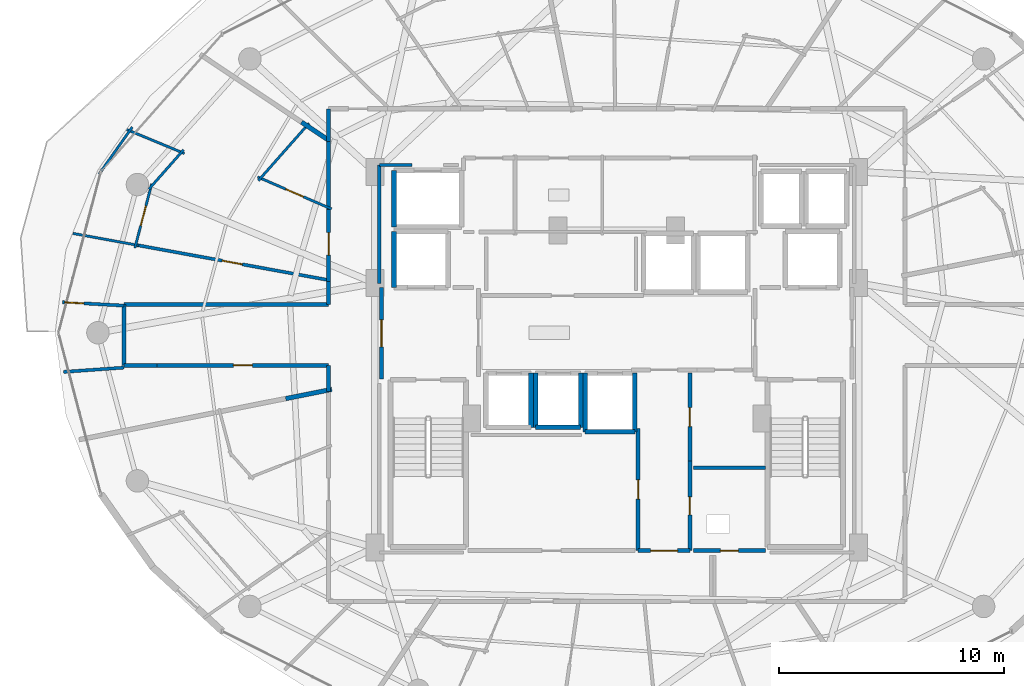
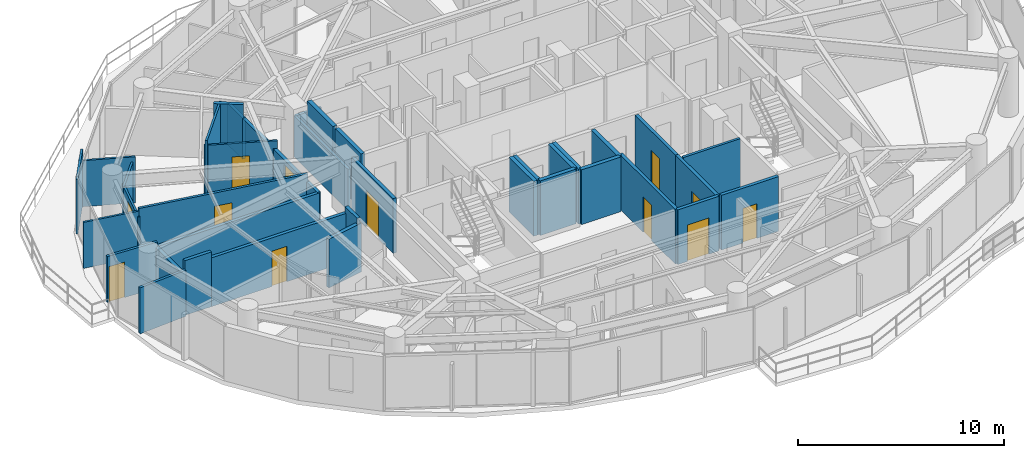
# One storey, part 21 of 29: 39 walls, 12 doors, 12 openings.
"""IFC4 building model written with IfcOpenShell, lengths in metres."""

from ifc_helpers import new_model, si_unit, direction, frame, frame_2d, origin, place, context, subcontext, project, spatial, rectangle, extrude, material, layer, layer_set, type_object, element, fill, save


model = new_model("IFC4")

# Units and contexts
model_context = context("Model", 3, precision=1e-05, world=origin(), true_north=direction((0.0, 1.0)))
body_context = subcontext(model_context, "Body", "Model", "MODEL_VIEW")
ifc_project = project(units=[si_unit("LENGTHUNIT", "METRE"), si_unit("AREAUNIT", "SQUARE_METRE"), si_unit("VOLUMEUNIT", "CUBIC_METRE"), si_unit("PLANEANGLEUNIT", "RADIAN"), si_unit("MASSUNIT", "GRAM", prefix="KILO")], contexts=[model_context])

# Site, building, storey
site_placement = place(None, origin())
site = spatial("IfcSite", under=ifc_project, at=site_placement, CompositionType="ELEMENT")
building_placement = place(site_placement, origin())
building = spatial("IfcBuilding", under=site, at=building_placement, Name="Vorneva Point Tower", CompositionType="ELEMENT")
storey_placement = place(building_placement, frame((0.0, 0.0, 150.10009765625)))
storey = spatial("IfcBuildingStorey", under=building, at=storey_placement, Name="L40", CompositionType="ELEMENT", Elevation=150.10009765625)

# Wall
ifc_material_1 = material(Name="Concrete B60 (C50/60)", Category="concrete")
ifc_layer_1 = layer(ifc_material_1, 0.5)
ifc_layer_set_1 = layer_set([ifc_layer_1], Name="Concrete B60 (C50/60)")
wall_type_1 = type_object("IfcWallType", Name="WL-CORE-500", PredefinedType="SHEAR", material=ifc_layer_set_1)
wall_1_placement = place(storey_placement, frame((28.10009765625, 30.5, 0.0), z_axis=(0.0, 0.0, 1.0), x_axis=(0.0, -1.0, 0.0)))
element("IfcWall", 1, at=wall_1_placement, inside=storey, type_object=wall_type_1, Name="L40 Lift FFL1 Shaft Wall -X", PredefinedType="SHEAR", context=body_context, shape_type="SweptSolid", body=[
    extrude(rectangle(XDim=2.5, YDim=0.219970703125, at=frame_2d((1.25, 0.0))), origin(), (0.0, 0.0, 1.0), 3.239990234375),
])

# Wall, opening, door
ifc_material_2 = material(Name="Fire-rated acoustic gypsum stud partition", Category="gypsum")
ifc_layer_2 = layer(ifc_material_2, 0.110107421875)
ifc_layer_set_2 = layer_set([ifc_layer_2], Name="Fire-rated acoustic gypsum stud partition")
wall_type_2 = type_object("IfcWallType", Name="WL-PART-110", PredefinedType="PARTITIONING", material=ifc_layer_set_2)
wall_2_placement = place(storey_placement, frame((25.328369140625, 31.497314453125, 0.0), z_axis=(0.0, 0.0, 1.0), x_axis=(-0.917371334891, 0.398032453351, 0.0)))
wall_2 = element("IfcWall", 2, at=wall_2_placement, inside=storey, type_object=wall_type_2, Name="L40 Interior Partition 097", PredefinedType="PARTITIONING", context=body_context, shape_type="SweptSolid", body=[
    extrude(rectangle(XDim=3.578369140625, YDim=0.110107421875, at=frame_2d((1.7890625, 0.0))), origin(), (0.0, 0.0, 1.0), 2.885986328125),
])
opening_1_placement = place(wall_2_placement, frame((1.3642578125, 0.0, 0.0)))
opening_1 = element("IfcOpeningElement", 3, at=opening_1_placement, cuts=wall_2, Name="Opening ID-02", PredefinedType="OPENING", context=body_context, shape_type="SweptSolid", body=[
    extrude(rectangle(XDim=0.85009765625, YDim=2.10009765625, at=frame_2d((0.425048828125, 1.050048828125))), frame((0.0, 0.06982421875, 0.0), z_axis=(0.0, -1.0, 0.0), x_axis=(1.0, 0.0, 0.0)), (0.0, 0.0, 1.0), 0.139892578125),
])
ifc_material_3 = material(Name="Engineered oak fire-rated door leaf", Category="wood")
door_type_1 = type_object("IfcDoorType", Name="DR-BATH-850", OperationType="NOTDEFINED", PredefinedType="DOOR", material=ifc_material_3)
door_1_placement = place(opening_1_placement, origin())
door_1 = element("IfcDoor", 4, at=door_1_placement, inside=storey, type_object=door_type_1, Name="L40 Door Living and Dining Room L40-04 / Bathroom L40-04", OperationType="SINGLE_SWING_LEFT", OverallHeight=2.10009765625, OverallWidth=0.85009765625, PredefinedType="DOOR", context=body_context, shape_type="SweptSolid", body=[
    extrude(rectangle(XDim=0.85009765625, YDim=2.10009765625, at=frame_2d((0.425048828125, 1.050048828125))), frame((0.0, 0.02490234375, 0.0), z_axis=(0.0, -1.0, 0.0), x_axis=(1.0, 0.0, 0.0)), (0.0, 0.0, 1.0), 0.050048828125),
])
fill(opening_1, door_1)

# Walls
wall_3_placement = place(storey_placement, frame((22.081298828125, 32.760986328125, 0.0), z_axis=(0.0, 0.0, 1.0), x_axis=(0.662023888113, 0.749482736004, 0.0)))
element("IfcWall", 5, at=wall_3_placement, inside=storey, type_object=wall_type_2, Name="L40 Interior Partition 098", PredefinedType="PARTITIONING", context=body_context, shape_type="SweptSolid", body=[
    extrude(rectangle(XDim=3.3916015625, YDim=0.110107421875, at=frame_2d((1.69580078125, 0.0))), origin(), (0.0, 0.0, 1.0), 3.239990234375),
])
wall_4_placement = place(storey_placement, frame((16.230712890625, 35.025634765625, 0.0), z_axis=(0.0, 0.0, 1.0), x_axis=(0.923742873908, -0.383013188943, 0.0)))
element("IfcWall", 6, at=wall_4_placement, inside=storey, type_object=wall_type_2, Name="L40 Interior Partition 099", PredefinedType="PARTITIONING", context=body_context, shape_type="SweptSolid", body=[
    extrude(rectangle(XDim=2.770751953125, YDim=0.110107421875, at=frame_2d((1.38525390625, 0.0))), origin(), (0.0, 0.0, 1.0), 2.727783203125),
])
wall_5_placement = place(storey_placement, frame((18.753662109375, 34.122802734375, 0.0), z_axis=(0.0, 0.0, 1.0), x_axis=(-0.66207590595, -0.749436785033, 0.0)))
element("IfcWall", 7, at=wall_5_placement, inside=storey, type_object=wall_type_2, Name="L40 Interior Partition 100", PredefinedType="PARTITIONING", context=body_context, shape_type="SweptSolid", body=[
    extrude(rectangle(XDim=2.327880859375, YDim=0.110107421875, at=frame_2d((1.1640625, 0.0))), origin(), (0.0, 0.0, 1.0), 2.431884765625),
])

# Wall, opening, door
wall_6_placement = place(storey_placement, frame((17.340576171875, 32.618408203125, 0.0), z_axis=(0.0, 0.0, 1.0), x_axis=(-0.254191595923, -0.967153882566, 0.0)))
wall_6 = element("IfcWall", 8, at=wall_6_placement, inside=storey, type_object=wall_type_2, Name="L40 Interior Partition 101", PredefinedType="PARTITIONING", context=body_context, shape_type="SweptSolid", body=[
    extrude(rectangle(XDim=2.94775390625, YDim=0.110107421875, at=frame_2d((1.473876953125, 0.0))), origin(), (0.0, 0.0, 1.0), 2.431884765625),
])
opening_2_placement = place(wall_6_placement, frame((1.023681640625, 0.0, 0.0)))
opening_2 = element("IfcOpeningElement", 9, at=opening_2_placement, cuts=wall_6, Name="Opening ID-01", PredefinedType="OPENING", context=body_context, shape_type="SweptSolid", body=[
    extrude(rectangle(XDim=0.89990234375, YDim=2.10009765625, at=frame_2d((0.449951171875, 1.050048828125))), frame((0.0, 0.06982421875, 0.0), z_axis=(0.0, -1.0, 0.0), x_axis=(1.0, 0.0, 0.0)), (0.0, 0.0, 1.0), 0.139892578125),
])
door_type_2 = type_object("IfcDoorType", Name="DR-ROOM-900", OperationType="NOTDEFINED", PredefinedType="DOOR", material=ifc_material_3)
door_2_placement = place(opening_2_placement, origin())
door_2 = element("IfcDoor", 10, at=door_2_placement, inside=storey, type_object=door_type_2, Name="L40 Door Living and Dining Room L40-04 / Kitchen L40-04", OperationType="SINGLE_SWING_RIGHT", OverallHeight=2.10009765625, OverallWidth=0.89990234375, PredefinedType="DOOR", context=body_context, shape_type="SweptSolid", body=[
    extrude(rectangle(XDim=0.89990234375, YDim=2.10009765625, at=frame_2d((0.449951171875, 1.050048828125))), frame((0.0, 0.02490234375, 0.0), z_axis=(0.0, -1.0, 0.0), x_axis=(1.0, 0.0, 0.0)), (0.0, 0.0, 1.0), 0.050048828125),
])
fill(opening_2, door_2)

# Walls
wall_7_placement = place(storey_placement, frame((16.4755859375, 35.136474609375, 0.0), z_axis=(0.0, 0.0, 1.0), x_axis=(-0.576469555269, -0.81711862777, 0.0)))
element("IfcWall", 11, at=wall_7_placement, inside=storey, type_object=wall_type_2, Name="L40 Interior Partition 102", PredefinedType="PARTITIONING", context=body_context, shape_type="SweptSolid", body=[
    extrude(rectangle(XDim=2.5576171875, YDim=0.110107421875, at=frame_2d((1.27880859375, 0.0))), origin(), (0.0, 0.0, 1.0), 3.239990234375),
])
wall_8_placement = place(storey_placement, frame((13.834228515625, 30.4130859375, 0.0), z_axis=(0.0, 0.0, 1.0), x_axis=(0.983716126889, -0.179729189891, 0.0)))
element("IfcWall", 12, at=wall_8_placement, inside=storey, type_object=wall_type_2, Name="L40 Interior Partition 104", PredefinedType="PARTITIONING", context=body_context, shape_type="SweptSolid", body=[
    extrude(rectangle(XDim=2.97900390625, YDim=0.110107421875, at=frame_2d((1.489501953125, 0.0))), origin(), (0.0, 0.0, 1.0), 2.727783203125),
])
ifc_layer_3 = layer(ifc_material_2, 0.139892578125)
ifc_layer_set_3 = layer_set([ifc_layer_3], Name="Fire-rated acoustic gypsum stud partition")
wall_type_3 = type_object("IfcWallType", Name="WL-PART-140", PredefinedType="PARTITIONING", material=ifc_layer_set_3)
wall_9_placement = place(storey_placement, frame((44.60009765625, 20.0, 0.0), z_axis=(0.0, 0.0, 1.0), x_axis=(-1.0, 0.0, 0.0)))
element("IfcWall", 13, at=wall_9_placement, inside=storey, type_object=wall_type_3, Name="L40 Interior Partition 017", PredefinedType="PARTITIONING", context=body_context, shape_type="SweptSolid", body=[
    extrude(rectangle(XDim=3.2001953125, YDim=0.139892578125, at=frame_2d((1.60009765625, 0.0))), origin(), (0.0, 0.0, 1.0), 3.239990234375),
])

# Wall, opening, door
wall_10_placement = place(storey_placement, frame((16.626953125, 29.903076171875, 0.0), z_axis=(0.0, 0.0, 1.0), x_axis=(0.983739211704, -0.179602793286, 0.0)))
wall_10 = element("IfcWall", 14, at=wall_10_placement, inside=storey, type_object=wall_type_3, Name="L40 Interior Partition 103", PredefinedType="PARTITIONING", context=body_context, shape_type="SweptSolid", body=[
    extrude(rectangle(XDim=8.714599609375, YDim=0.139892578125, at=frame_2d((4.357421875, 0.0))), origin(), (0.0, 0.0, 1.0), 2.885986328125),
])
opening_3_placement = place(wall_10_placement, frame((3.9072265625, 0.0, 0.0)))
opening_3 = element("IfcOpeningElement", 15, at=opening_3_placement, cuts=wall_10, Name="Opening ID-01", PredefinedType="OPENING", context=body_context, shape_type="SweptSolid", body=[
    extrude(rectangle(XDim=0.89990234375, YDim=2.10009765625, at=frame_2d((0.449951171875, 1.050048828125))), frame((0.0, 0.0849609375, 0.0), z_axis=(0.0, -1.0, 0.0), x_axis=(1.0, 0.0, 0.0)), (0.0, 0.0, 1.0), 0.169677734375),
])
door_3_placement = place(opening_3_placement, origin())
door_3 = element("IfcDoor", 16, at=door_3_placement, inside=storey, type_object=door_type_2, Name="L40 Door Living and Dining Room L40-04 / Master Bedroom L40-04.1", OperationType="SINGLE_SWING_LEFT", OverallHeight=2.10009765625, OverallWidth=0.89990234375, PredefinedType="DOOR", context=body_context, shape_type="SweptSolid", body=[
    extrude(rectangle(XDim=0.89990234375, YDim=2.10009765625, at=frame_2d((0.449951171875, 1.050048828125))), frame((0.0, 0.02490234375, 0.0), z_axis=(0.0, -1.0, 0.0), x_axis=(1.0, 0.0, 0.0)), (0.0, 0.0, 1.0), 0.050048828125),
])
fill(opening_3, door_3)

wall_11_placement = place(storey_placement, frame((13.376953125, 27.35498046875, 0.0), z_axis=(0.0, 0.0, 1.0), x_axis=(0.998488320145, -0.054964302364, 0.0)))
wall_11 = element("IfcWall", 17, at=wall_11_placement, inside=storey, type_object=wall_type_3, Name="L40 Interior Partition 105", PredefinedType="PARTITIONING", context=body_context, shape_type="SweptSolid", body=[
    extrude(rectangle(XDim=2.727294921875, YDim=0.139892578125, at=frame_2d((1.36376953125, 0.0))), origin(), (0.0, 0.0, 1.0), 2.727783203125),
])
opening_4_placement = place(wall_11_placement, frame((0.0986328125, 0.0, 0.0)))
opening_4 = element("IfcOpeningElement", 18, at=opening_4_placement, cuts=wall_11, Name="Opening ID-02", PredefinedType="OPENING", context=body_context, shape_type="SweptSolid", body=[
    extrude(rectangle(XDim=0.85009765625, YDim=2.10009765625, at=frame_2d((0.425048828125, 1.050048828125))), frame((0.0, 0.0849609375, 0.0), z_axis=(0.0, -1.0, 0.0), x_axis=(1.0, 0.0, 0.0)), (0.0, 0.0, 1.0), 0.169677734375),
])
door_4_placement = place(opening_4_placement, origin())
door_4 = element("IfcDoor", 19, at=door_4_placement, inside=storey, type_object=door_type_1, Name="L40 Access Door Master Bedroom L40-04.1", OperationType="SINGLE_SWING_RIGHT", OverallHeight=2.10009765625, OverallWidth=0.85009765625, PredefinedType="DOOR", context=body_context, shape_type="SweptSolid", body=[
    extrude(rectangle(XDim=0.85009765625, YDim=2.10009765625, at=frame_2d((0.425048828125, 1.050048828125))), frame((0.0, 0.02490234375, 0.0), z_axis=(0.0, -1.0, 0.0), x_axis=(1.0, 0.0, 0.0)), (0.0, 0.0, 1.0), 0.050048828125),
])
fill(opening_4, door_4)

# Walls
wall_12_placement = place(storey_placement, frame((13.427001953125, 24.260009765625, 0.0), z_axis=(0.0, 0.0, 1.0), x_axis=(0.997504277417, 0.070606065851, 0.0)))
element("IfcWall", 20, at=wall_12_placement, inside=storey, type_object=wall_type_3, Name="L40 Interior Partition 106", PredefinedType="PARTITIONING", context=body_context, shape_type="SweptSolid", body=[
    extrude(rectangle(XDim=2.6796875, YDim=0.139892578125, at=frame_2d((1.33984375, 0.0))), origin(), (0.0, 0.0, 1.0), 2.727783203125),
])
wall_13_placement = place(storey_placement, frame((28.89404296875, 33.449951171875, 0.0), z_axis=(0.0, 0.0, 1.0), x_axis=(-1.0, 0.0, 0.0)))
element("IfcWall", 21, at=wall_13_placement, inside=storey, type_object=wall_type_3, Name="L40 Interior Closure Partition 149", PredefinedType="PARTITIONING", context=body_context, shape_type="SweptSolid", body=[
    extrude(rectangle(XDim=1.444091796875, YDim=0.139892578125, at=frame_2d((0.72216796875, 0.0))), origin(), (0.0, 0.0, 1.0), 2.431884765625),
])
wall_14_placement = place(storey_placement, frame((27.449951171875, 33.449951171875, 0.0), z_axis=(0.0, 0.0, 1.0), x_axis=(0.0, -1.0, 0.0)))
element("IfcWall", 22, at=wall_14_placement, inside=storey, type_object=wall_type_3, Name="L40 Interior Closure Partition 150", PredefinedType="PARTITIONING", context=body_context, shape_type="SweptSolid", body=[
    extrude(rectangle(XDim=5.25390625, YDim=0.139892578125, at=frame_2d((2.626953125, 0.0))), origin(), (0.0, 0.0, 1.0), 2.431884765625),
])

# Wall, opening, door
ifc_material_4 = material(Name="Autoclaved aerated concrete blockwork", Category="masonry")
ifc_layer_4 = layer(ifc_material_4, 0.179931640625)
ifc_layer_set_4 = layer_set([ifc_layer_4], Name="Autoclaved aerated concrete blockwork")
wall_type_4 = type_object("IfcWallType", Name="WL-PART-180", PredefinedType="PARTITIONING", material=ifc_layer_set_4)
wall_15_placement = place(storey_placement, frame((27.550048828125, 28.0, 0.0), z_axis=(0.0, 0.0, 1.0), x_axis=(0.0, -1.0, 0.0)))
wall_15 = element("IfcWall", 23, at=wall_15_placement, inside=storey, type_object=wall_type_4, Name="L40 Interior Partition 002", PredefinedType="PARTITIONING", context=body_context, shape_type="SweptSolid", body=[
    extrude(rectangle(XDim=4.050048828125, YDim=0.179931640625, at=frame_2d((2.02490234375, 0.0))), origin(), (0.0, 0.0, 1.0), 3.239990234375),
])
opening_5_placement = place(wall_15_placement, frame((1.425048828125, 0.0, 0.0)))
opening_5 = element("IfcOpeningElement", 24, at=opening_5_placement, cuts=wall_15, Name="Opening FD-02", PredefinedType="OPENING", context=body_context, shape_type="SweptSolid", body=[
    extrude(rectangle(XDim=1.199951171875, YDim=2.14990234375, at=frame_2d((0.60009765625, 1.074951171875))), frame((0.0, 0.10498046875, 0.0), z_axis=(0.0, -1.0, 0.0), x_axis=(1.0, 0.0, 0.0)), (0.0, 0.0, 1.0), 0.209716796875),
])
ifc_material_5 = material(Name="Fire-rated powder-coated steel", Category="steel")
door_type_3 = type_object("IfcDoorType", Name="DR-FFL-1200", OperationType="NOTDEFINED", PredefinedType="DOOR", material=ifc_material_5)
door_5_placement = place(opening_5_placement, origin())
door_5 = element("IfcDoor", 25, at=door_5_placement, inside=storey, type_object=door_type_3, Name="L40 Door West Firefighting Lobby / L40 Circulation Corridor", OperationType="SINGLE_SWING_RIGHT", OverallHeight=2.14990234375, OverallWidth=1.199951171875, PredefinedType="DOOR", context=body_context, shape_type="SweptSolid", body=[
    extrude(rectangle(XDim=1.199951171875, YDim=2.14990234375, at=frame_2d((0.60009765625, 1.074951171875))), frame((0.0, 0.02490234375, 0.0), z_axis=(0.0, -1.0, 0.0), x_axis=(1.0, 0.0, 0.0)), (0.0, 0.0, 1.0), 0.050048828125),
])
fill(opening_5, door_5)

wall_16_placement = place(storey_placement, frame((41.25, 16.320068359375, 0.0), z_axis=(0.0, 0.0, 1.0), x_axis=(0.0, 1.0, 0.0)))
wall_16 = element("IfcWall", 26, at=wall_16_placement, inside=storey, type_object=wall_type_4, Name="L40 Interior Partition 013", PredefinedType="PARTITIONING", context=body_context, shape_type="SweptSolid", body=[
    extrude(rectangle(XDim=3.98486328125, YDim=0.179931640625, at=frame_2d((1.992431640625, 0.0))), origin(), (0.0, 0.0, 1.0), 3.239990234375),
])
opening_6_placement = place(wall_16_placement, frame((1.592529296875, 0.0, 0.0)))
opening_6 = element("IfcOpeningElement", 27, at=opening_6_placement, cuts=wall_16, Name="Opening RD-01", PredefinedType="OPENING", context=body_context, shape_type="SweptSolid", body=[
    extrude(rectangle(XDim=0.800048828125, YDim=2.050048828125, at=frame_2d((0.39990234375, 1.02490234375))), frame((0.0, 0.10498046875, 0.0), z_axis=(0.0, -1.0, 0.0), x_axis=(1.0, 0.0, 0.0)), (0.0, 0.0, 1.0), 0.209716796875),
])
door_type_4 = type_object("IfcDoorType", Name="DR-RSR-800", OperationType="SINGLE_SWING_LEFT", PredefinedType="DOOR", material=ifc_material_5)
door_6_placement = place(opening_6_placement, origin())
door_6 = element("IfcDoor", 28, at=door_6_placement, inside=storey, type_object=door_type_4, Name="L40 Door Core Service Lobby / Electrical Riser", OperationType="SINGLE_SWING_RIGHT", OverallHeight=2.050048828125, OverallWidth=0.800048828125, PredefinedType="DOOR", context=body_context, shape_type="SweptSolid", body=[
    extrude(rectangle(XDim=0.800048828125, YDim=2.050048828125, at=frame_2d((0.39990234375, 1.02490234375))), frame((0.0, 0.02490234375, 0.0), z_axis=(0.0, -1.0, 0.0), x_axis=(1.0, 0.0, 0.0)), (0.0, 0.0, 1.0), 0.050048828125),
])
fill(opening_6, door_6)

wall_17_placement = place(storey_placement, frame((41.25, 20.304931640625, 0.0), z_axis=(0.0, 0.0, 1.0), x_axis=(0.0, 1.0, 0.0)))
wall_17 = element("IfcWall", 29, at=wall_17_placement, inside=storey, type_object=wall_type_4, Name="L40 Interior Partition 014", PredefinedType="PARTITIONING", context=body_context, shape_type="SweptSolid", body=[
    extrude(rectangle(XDim=3.89501953125, YDim=0.179931640625, at=frame_2d((1.947509765625, 0.0))), origin(), (0.0, 0.0, 1.0), 3.239990234375),
])
opening_7_placement = place(wall_17_placement, frame((1.5224609375, 0.0, 0.0)))
opening_7 = element("IfcOpeningElement", 30, at=opening_7_placement, cuts=wall_17, Name="Opening ID-02", PredefinedType="OPENING", context=body_context, shape_type="SweptSolid", body=[
    extrude(rectangle(XDim=0.85009765625, YDim=2.10009765625, at=frame_2d((0.425048828125, 1.050048828125))), frame((0.0, 0.10498046875, 0.0), z_axis=(0.0, -1.0, 0.0), x_axis=(1.0, 0.0, 0.0)), (0.0, 0.0, 1.0), 0.209716796875),
])
door_7_placement = place(opening_7_placement, origin())
door_7 = element("IfcDoor", 31, at=door_7_placement, inside=storey, type_object=door_type_1, Name="L40 Door Core Service Lobby / Cleaners Store", OperationType="SINGLE_SWING_LEFT", OverallHeight=2.10009765625, OverallWidth=0.85009765625, PredefinedType="DOOR", context=body_context, shape_type="SweptSolid", body=[
    extrude(rectangle(XDim=0.85009765625, YDim=2.10009765625, at=frame_2d((0.425048828125, 1.050048828125))), frame((0.0, 0.02490234375, 0.0), z_axis=(0.0, -1.0, 0.0), x_axis=(1.0, 0.0, 0.0)), (0.0, 0.0, 1.0), 0.050048828125),
])
fill(opening_7, door_7)

wall_18_placement = place(storey_placement, frame((38.949951171875, 21.7548828125, 0.0), z_axis=(0.0, 0.0, 1.0), x_axis=(0.0, -1.0, 0.0)))
wall_18 = element("IfcWall", 32, at=wall_18_placement, inside=storey, type_object=wall_type_4, Name="L40 Interior Partition 015", PredefinedType="PARTITIONING", context=body_context, shape_type="SweptSolid", body=[
    extrude(rectangle(XDim=5.434814453125, YDim=0.179931640625, at=frame_2d((2.71728515625, 0.0))), origin(), (0.0, 0.0, 1.0), 3.239990234375),
])
opening_8_placement = place(wall_18_placement, frame((2.29248046875, 0.0, 0.0)))
opening_8 = element("IfcOpeningElement", 33, at=opening_8_placement, cuts=wall_18, Name="Opening ID-02", PredefinedType="OPENING", context=body_context, shape_type="SweptSolid", body=[
    extrude(rectangle(XDim=0.85009765625, YDim=2.10009765625, at=frame_2d((0.425048828125, 1.050048828125))), frame((0.0, 0.10498046875, 0.0), z_axis=(0.0, -1.0, 0.0), x_axis=(1.0, 0.0, 0.0)), (0.0, 0.0, 1.0), 0.209716796875),
])
door_8_placement = place(opening_8_placement, origin())
door_8 = element("IfcDoor", 34, at=door_8_placement, inside=storey, type_object=door_type_1, Name="L40 Door Core Service Lobby / Floor Storage Room", OperationType="SINGLE_SWING_RIGHT", OverallHeight=2.10009765625, OverallWidth=0.85009765625, PredefinedType="DOOR", context=body_context, shape_type="SweptSolid", body=[
    extrude(rectangle(XDim=0.85009765625, YDim=2.10009765625, at=frame_2d((0.425048828125, 1.050048828125))), frame((0.0, 0.02490234375, 0.0), z_axis=(0.0, -1.0, 0.0), x_axis=(1.0, 0.0, 0.0)), (0.0, 0.0, 1.0), 0.050048828125),
])
fill(opening_8, door_8)

wall_19_placement = place(storey_placement, frame((38.949951171875, 16.320068359375, 0.0), z_axis=(0.0, 0.0, 1.0), x_axis=(1.0, 0.0, 0.0)))
wall_19 = element("IfcWall", 35, at=wall_19_placement, inside=storey, type_object=wall_type_4, Name="L40 Interior Partition 016", PredefinedType="PARTITIONING", context=body_context, shape_type="SweptSolid", body=[
    extrude(rectangle(XDim=2.300048828125, YDim=0.179931640625, at=frame_2d((1.14990234375, 0.0))), origin(), (0.0, 0.0, 1.0), 3.239990234375),
])
opening_9_placement = place(wall_19_placement, frame((0.550048828125, 0.0, 0.0)))
opening_9 = element("IfcOpeningElement", 36, at=opening_9_placement, cuts=wall_19, Name="Opening FD-02", PredefinedType="OPENING", context=body_context, shape_type="SweptSolid", body=[
    extrude(rectangle(XDim=1.199951171875, YDim=2.14990234375, at=frame_2d((0.60009765625, 1.074951171875))), frame((0.0, 0.10498046875, 0.0), z_axis=(0.0, -1.0, 0.0), x_axis=(1.0, 0.0, 0.0)), (0.0, 0.0, 1.0), 0.209716796875),
])
door_9_placement = place(opening_9_placement, origin())
door_9 = element("IfcDoor", 37, at=door_9_placement, inside=storey, type_object=door_type_3, Name="L40 Door Core Service Lobby / L40 Circulation Corridor", OperationType="SINGLE_SWING_LEFT", OverallHeight=2.14990234375, OverallWidth=1.199951171875, PredefinedType="DOOR", context=body_context, shape_type="SweptSolid", body=[
    extrude(rectangle(XDim=1.199951171875, YDim=2.14990234375, at=frame_2d((0.60009765625, 1.074951171875))), frame((0.0, 0.02490234375, 0.0), z_axis=(0.0, -1.0, 0.0), x_axis=(1.0, 0.0, 0.0)), (0.0, 0.0, 1.0), 0.050048828125),
])
fill(opening_9, door_9)

wall_20_placement = place(storey_placement, frame((41.39990234375, 16.320068359375, 0.0), z_axis=(0.0, 0.0, 1.0), x_axis=(1.0, 0.0, 0.0)))
wall_20 = element("IfcWall", 38, at=wall_20_placement, inside=storey, type_object=wall_type_4, Name="L40 Interior Partition 018", PredefinedType="PARTITIONING", context=body_context, shape_type="SweptSolid", body=[
    extrude(rectangle(XDim=3.2001953125, YDim=0.179931640625, at=frame_2d((1.60009765625, 0.0))), origin(), (0.0, 0.0, 1.0), 3.239990234375),
])
opening_10_placement = place(wall_20_placement, frame((1.199951171875, 0.0, 0.0)))
opening_10 = element("IfcOpeningElement", 39, at=opening_10_placement, cuts=wall_20, Name="Opening RD-01", PredefinedType="OPENING", context=body_context, shape_type="SweptSolid", body=[
    extrude(rectangle(XDim=0.800048828125, YDim=2.050048828125, at=frame_2d((0.39990234375, 1.02490234375))), frame((0.0, 0.10498046875, 0.0), z_axis=(0.0, -1.0, 0.0), x_axis=(1.0, 0.0, 0.0)), (0.0, 0.0, 1.0), 0.209716796875),
])
door_10_placement = place(opening_10_placement, origin())
door_10 = element("IfcDoor", 40, at=door_10_placement, inside=storey, type_object=door_type_4, Name="L40 Door Electrical Riser / L40 Circulation Corridor", OperationType="SINGLE_SWING_RIGHT", OverallHeight=2.050048828125, OverallWidth=0.800048828125, PredefinedType="DOOR", context=body_context, shape_type="SweptSolid", body=[
    extrude(rectangle(XDim=0.800048828125, YDim=2.050048828125, at=frame_2d((0.39990234375, 1.02490234375))), frame((0.0, 0.02490234375, 0.0), z_axis=(0.0, -1.0, 0.0), x_axis=(1.0, 0.0, 0.0)), (0.0, 0.0, 1.0), 0.050048828125),
])
fill(opening_10, door_10)

# Wall
wall_21_placement = place(storey_placement, frame((25.199951171875, 35.949951171875, 0.0), z_axis=(0.0, 0.0, 1.0), x_axis=(0.0, -1.0, 0.0)))
element("IfcWall", 41, at=wall_21_placement, inside=storey, type_object=wall_type_4, Name="L40 Interior Partition 039", PredefinedType="PARTITIONING", context=body_context, shape_type="SweptSolid", body=[
    extrude(rectangle(XDim=1.45703125, YDim=0.179931640625, at=frame_2d((0.728515625, 0.0))), origin(), (0.0, 0.0, 1.0), 2.431884765625),
])

# Wall, opening, door
wall_22_placement = place(storey_placement, frame((25.199951171875, 31.617919921875, 0.0), z_axis=(0.0, 0.0, 1.0), x_axis=(0.0, -1.0, 0.0)))
wall_22 = element("IfcWall", 42, at=wall_22_placement, inside=storey, type_object=wall_type_4, Name="L40 Interior Partition 040", PredefinedType="PARTITIONING", context=body_context, shape_type="SweptSolid", body=[
    extrude(rectangle(XDim=3.33984375, YDim=0.179931640625, at=frame_2d((1.669921875, 0.0))), origin(), (0.0, 0.0, 1.0), 2.431884765625),
])
opening_11_placement = place(wall_22_placement, frame((1.169921875, 0.0, 0.0)))
opening_11 = element("IfcOpeningElement", 43, at=opening_11_placement, cuts=wall_22, Name="Opening UD-01", PredefinedType="OPENING", context=body_context, shape_type="SweptSolid", body=[
    extrude(rectangle(XDim=1.0, YDim=2.14990234375, at=frame_2d((0.5, 1.074951171875))), frame((0.0, 0.10498046875, 0.0), z_axis=(0.0, -1.0, 0.0), x_axis=(1.0, 0.0, 0.0)), (0.0, 0.0, 1.0), 0.209716796875),
])
door_type_5 = type_object("IfcDoorType", Name="DR-UNIT-1000", OperationType="NOTDEFINED", PredefinedType="DOOR", material=ifc_material_3)
door_11_placement = place(opening_11_placement, origin())
door_11 = element("IfcDoor", 44, at=door_11_placement, inside=storey, type_object=door_type_5, Name="L40 Door L40 Circulation Corridor / Living and Dining Room L40-04", OperationType="SINGLE_SWING_LEFT", OverallHeight=2.14990234375, OverallWidth=1.0, PredefinedType="DOOR", context=body_context, shape_type="SweptSolid", body=[
    extrude(rectangle(XDim=1.0, YDim=2.14990234375, at=frame_2d((0.5, 1.074951171875))), frame((0.0, 0.02490234375, 0.0), z_axis=(0.0, -1.0, 0.0), x_axis=(1.0, 0.0, 0.0)), (0.0, 0.0, 1.0), 0.050048828125),
])
fill(opening_11, door_11)

# Walls
wall_23_placement = place(storey_placement, frame((25.199951171875, 34.633056640625, 0.0), z_axis=(0.0, 0.0, 1.0), x_axis=(0.0, -1.0, 0.0)))
element("IfcWall", 45, at=wall_23_placement, inside=storey, type_object=wall_type_4, Name="L40 Interior Partition 041", PredefinedType="PARTITIONING", context=body_context, shape_type="SweptSolid", body=[
    extrude(rectangle(XDim=3.155029296875, YDim=0.179931640625, at=frame_2d((1.57763671875, 0.0))), origin(), (0.0, 0.0, 1.0), 2.431884765625),
])
wall_24_placement = place(storey_placement, frame((25.199951171875, 28.278076171875, 0.0), z_axis=(0.0, 0.0, 1.0), x_axis=(0.0, -1.0, 0.0)))
element("IfcWall", 46, at=wall_24_placement, inside=storey, type_object=wall_type_4, Name="L40 Interior Partition 042", PredefinedType="PARTITIONING", context=body_context, shape_type="SweptSolid", body=[
    extrude(rectangle(XDim=1.028076171875, YDim=0.179931640625, at=frame_2d((0.51416015625, 0.0))), origin(), (0.0, 0.0, 1.0), 2.431884765625),
])
wall_25_placement = place(storey_placement, frame((25.199951171875, 27.25, 0.0), z_axis=(0.0, 0.0, 1.0), x_axis=(-1.0, 0.0, 0.0)))
element("IfcWall", 47, at=wall_25_placement, inside=storey, type_object=wall_type_4, Name="L40 Interior Partition 043", PredefinedType="PARTITIONING", context=body_context, shape_type="SweptSolid", body=[
    extrude(rectangle(XDim=9.099853515625, YDim=0.179931640625, at=frame_2d((4.5498046875, 0.0))), origin(), (0.0, 0.0, 1.0), 2.431884765625),
])
wall_26_placement = place(storey_placement, frame((16.10009765625, 27.25, 0.0), z_axis=(0.0, 0.0, 1.0), x_axis=(0.0, -1.0, 0.0)))
element("IfcWall", 48, at=wall_26_placement, inside=storey, type_object=wall_type_4, Name="L40 Interior Partition 044", PredefinedType="PARTITIONING", context=body_context, shape_type="SweptSolid", body=[
    extrude(rectangle(XDim=2.699951171875, YDim=0.179931640625, at=frame_2d((1.35009765625, 0.0))), origin(), (0.0, 0.0, 1.0), 2.431884765625),
])
wall_27_placement = place(storey_placement, frame((16.10009765625, 24.550048828125, 0.0), z_axis=(0.0, 0.0, 1.0), x_axis=(1.0, 0.0, 0.0)))
element("IfcWall", 49, at=wall_27_placement, inside=storey, type_object=wall_type_4, Name="L40 Interior Partition 045", PredefinedType="PARTITIONING", context=body_context, shape_type="SweptSolid", body=[
    extrude(rectangle(XDim=1.48095703125, YDim=0.179931640625, at=frame_2d((0.740478515625, 0.0))), origin(), (0.0, 0.0, 1.0), 3.239990234375),
])

# Wall, opening, door
wall_28_placement = place(storey_placement, frame((17.5810546875, 24.550048828125, 0.0), z_axis=(0.0, 0.0, 1.0), x_axis=(1.0, 0.0, 0.0)))
wall_28 = element("IfcWall", 50, at=wall_28_placement, inside=storey, type_object=wall_type_4, Name="L40 Interior Partition 046", PredefinedType="PARTITIONING", context=body_context, shape_type="SweptSolid", body=[
    extrude(rectangle(XDim=7.618896484375, YDim=0.179931640625, at=frame_2d((3.8095703125, 0.0))), origin(), (0.0, 0.0, 1.0), 2.885986328125),
])
opening_12_placement = place(wall_28_placement, frame((3.384521484375, 0.0, 0.0)))
opening_12 = element("IfcOpeningElement", 51, at=opening_12_placement, cuts=wall_28, Name="Opening ID-02", PredefinedType="OPENING", context=body_context, shape_type="SweptSolid", body=[
    extrude(rectangle(XDim=0.85009765625, YDim=2.10009765625, at=frame_2d((0.425048828125, 1.050048828125))), frame((0.0, 0.10498046875, 0.0), z_axis=(0.0, -1.0, 0.0), x_axis=(1.0, 0.0, 0.0)), (0.0, 0.0, 1.0), 0.209716796875),
])
door_12_placement = place(opening_12_placement, origin())
door_12 = element("IfcDoor", 52, at=door_12_placement, inside=storey, type_object=door_type_1, Name="L40 Access Door L40 Circulation Corridor", OperationType="SINGLE_SWING_RIGHT", OverallHeight=2.10009765625, OverallWidth=0.85009765625, PredefinedType="DOOR", context=body_context, shape_type="SweptSolid", body=[
    extrude(rectangle(XDim=0.85009765625, YDim=2.10009765625, at=frame_2d((0.425048828125, 1.050048828125))), frame((0.0, 0.02490234375, 0.0), z_axis=(0.0, -1.0, 0.0), x_axis=(1.0, 0.0, 0.0)), (0.0, 0.0, 1.0), 0.050048828125),
])
fill(opening_12, door_12)

# Walls
wall_29_placement = place(storey_placement, frame((25.199951171875, 24.550048828125, 0.0), z_axis=(0.0, 0.0, 1.0), x_axis=(0.0, -1.0, 0.0)))
element("IfcWall", 53, at=wall_29_placement, inside=storey, type_object=wall_type_4, Name="L40 Interior Partition 047", PredefinedType="PARTITIONING", context=body_context, shape_type="SweptSolid", body=[
    extrude(rectangle(XDim=1.156982421875, YDim=0.179931640625, at=frame_2d((0.57861328125, 0.0))), origin(), (0.0, 0.0, 1.0), 3.239990234375),
])
ifc_layer_5 = layer(ifc_material_4, 0.199951171875)
ifc_layer_set_5 = layer_set([ifc_layer_5], Name="Autoclaved aerated concrete blockwork")
wall_type_5 = type_object("IfcWallType", Name="WL-PART-200", PredefinedType="PARTITIONING", material=ifc_layer_set_5)
wall_30_placement = place(storey_placement, frame((23.9951171875, 35.35791015625, 0.0), z_axis=(0.0, 0.0, 1.0), x_axis=(0.831505536539, -0.555516464837, 0.0)))
element("IfcWall", 54, at=wall_30_placement, inside=storey, type_object=wall_type_5, Name="L40 Interior Partition 095", PredefinedType="PARTITIONING", context=body_context, shape_type="SweptSolid", body=[
    extrude(rectangle(XDim=1.448974609375, YDim=0.199951171875, at=frame_2d((0.724609375, 0.0))), origin(), (0.0, 0.0, 1.0), 3.239990234375),
])
wall_31_placement = place(storey_placement, frame((23.2890625, 23.073974609375, 0.0), z_axis=(0.0, 0.0, 1.0), x_axis=(0.980804842296, 0.194991951961, 0.0)))
element("IfcWall", 55, at=wall_31_placement, inside=storey, type_object=wall_type_5, Name="L40 Interior Partition 109", PredefinedType="PARTITIONING", context=body_context, shape_type="SweptSolid", body=[
    extrude(rectangle(XDim=2.08837890625, YDim=0.199951171875, at=frame_2d((1.044189453125, 0.0))), origin(), (0.0, 0.0, 1.0), 2.885986328125),
])
ifc_material_6 = material(Name="Concrete B50 (C40/50)", Category="concrete")
ifc_layer_6 = layer(ifc_material_6, 0.219970703125)
ifc_layer_set_6 = layer_set([ifc_layer_6], Name="Concrete B50 (C40/50)")
wall_type_6 = type_object("IfcWallType", Name="WL-SHFT-220", PredefinedType="SOLIDWALL", material=ifc_layer_set_6)
wall_32_placement = place(storey_placement, frame((34.199951171875, 21.800048828125, 0.0), z_axis=(0.0, 0.0, 1.0), x_axis=(0.0, 1.0, 0.0)))
element("IfcWall", 56, at=wall_32_placement, inside=storey, type_object=wall_type_6, Name="L40 Lift PL4 Shaft Wall +X", PredefinedType="SOLIDWALL", context=body_context, shape_type="SweptSolid", body=[
    extrude(rectangle(XDim=2.39990234375, YDim=0.219970703125, at=frame_2d((1.199951171875, 0.0))), origin(), (0.0, 0.0, 1.0), 3.239990234375),
])
wall_33_placement = place(storey_placement, frame((34.39990234375, 21.800048828125, 0.0), z_axis=(0.0, 0.0, 1.0), x_axis=(1.0, 0.0, 0.0)))
element("IfcWall", 57, at=wall_33_placement, inside=storey, type_object=wall_type_6, Name="L40 Lift PL5 Shaft Wall -Y", PredefinedType="SOLIDWALL", context=body_context, shape_type="SweptSolid", body=[
    extrude(rectangle(XDim=2.0, YDim=0.219970703125, at=frame_2d((1.0, 0.0))), origin(), (0.0, 0.0, 1.0), 3.239990234375),
])
for number, where, z_axis, x_axis, name in (
    (58, (36.39990234375, 21.800048828125, 0.0), (0.0, 0.0, 1.0), (0.0, 1.0, 0.0), "L40 Lift PL5 Shaft Wall +X"),
    (59, (34.39990234375, 24.199951171875, 0.0), (0.0, 0.0, 1.0), (0.0, -1.0, 0.0), "L40 Lift PL5 Shaft Wall -X"),
):
    element("IfcWall", number, at=place(storey_placement, frame(where, z_axis=z_axis, x_axis=x_axis)), inside=storey, type_object=wall_type_6, Name=name, PredefinedType="SOLIDWALL", context=body_context, shape_type="SweptSolid", body=[
        extrude(rectangle(XDim=2.39990234375, YDim=0.219970703125, at=frame_2d((1.199951171875, 0.0))), origin(), (0.0, 0.0, 1.0), 3.239990234375),
    ])
wall_34_placement = place(storey_placement, frame((36.60009765625, 21.60009765625, 0.0), z_axis=(0.0, 0.0, 1.0), x_axis=(1.0, 0.0, 0.0)))
element("IfcWall", 60, at=wall_34_placement, inside=storey, type_object=wall_type_6, Name="L40 Lift PL6 Shaft Wall -Y", PredefinedType="SOLIDWALL", context=body_context, shape_type="SweptSolid", body=[
    extrude(rectangle(XDim=2.199951171875, YDim=0.219970703125, at=frame_2d((1.10009765625, 0.0))), origin(), (0.0, 0.0, 1.0), 3.239990234375),
])
for number, where, z_axis, x_axis, name in (
    (61, (38.800048828125, 21.60009765625, 0.0), (0.0, 0.0, 1.0), (0.0, 1.0, 0.0), "L40 Lift PL6 Shaft Wall +X"),
    (62, (36.60009765625, 24.199951171875, 0.0), (0.0, 0.0, 1.0), (0.0, -1.0, 0.0), "L40 Lift PL6 Shaft Wall -X"),
):
    element("IfcWall", number, at=place(storey_placement, frame(where, z_axis=z_axis, x_axis=x_axis)), inside=storey, type_object=wall_type_6, Name=name, PredefinedType="SOLIDWALL", context=body_context, shape_type="SweptSolid", body=[
        extrude(rectangle(XDim=2.599853515625, YDim=0.219970703125, at=frame_2d((1.2998046875, 0.0))), origin(), (0.0, 0.0, 1.0), 3.239990234375),
    ])
wall_35_placement = place(storey_placement, frame((28.10009765625, 33.199951171875, 0.0), z_axis=(0.0, 0.0, 1.0), x_axis=(0.0, -1.0, 0.0)))
element("IfcWall", 63, at=wall_35_placement, inside=storey, type_object=wall_type_6, Name="L40 Lift SVL1 Shaft Wall -X", PredefinedType="SOLIDWALL", context=body_context, shape_type="SweptSolid", body=[
    extrude(rectangle(XDim=2.5, YDim=0.219970703125, at=frame_2d((1.25, 0.0))), origin(), (0.0, 0.0, 1.0), 3.239990234375),
])

save(model, "model.ifc")
